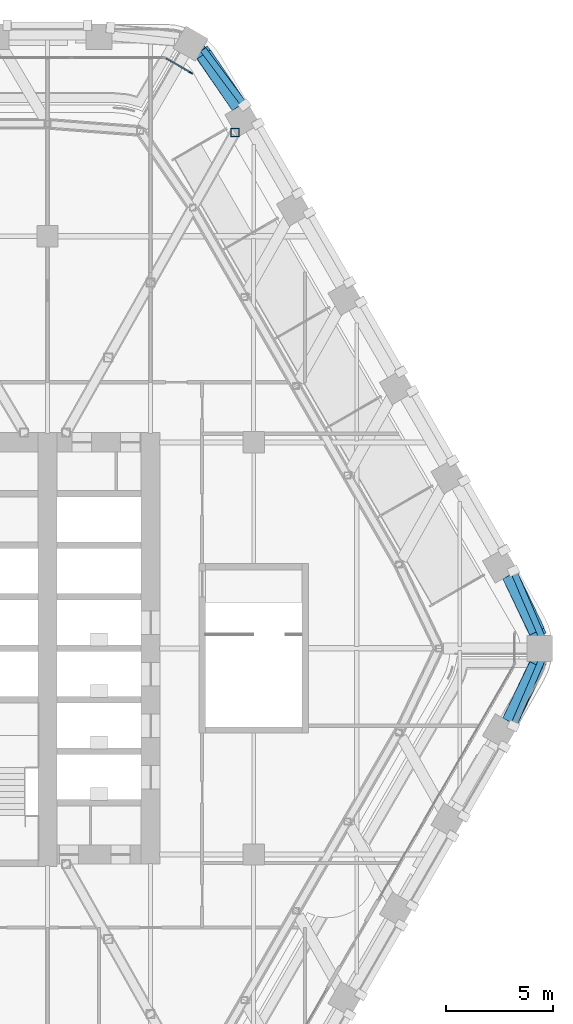
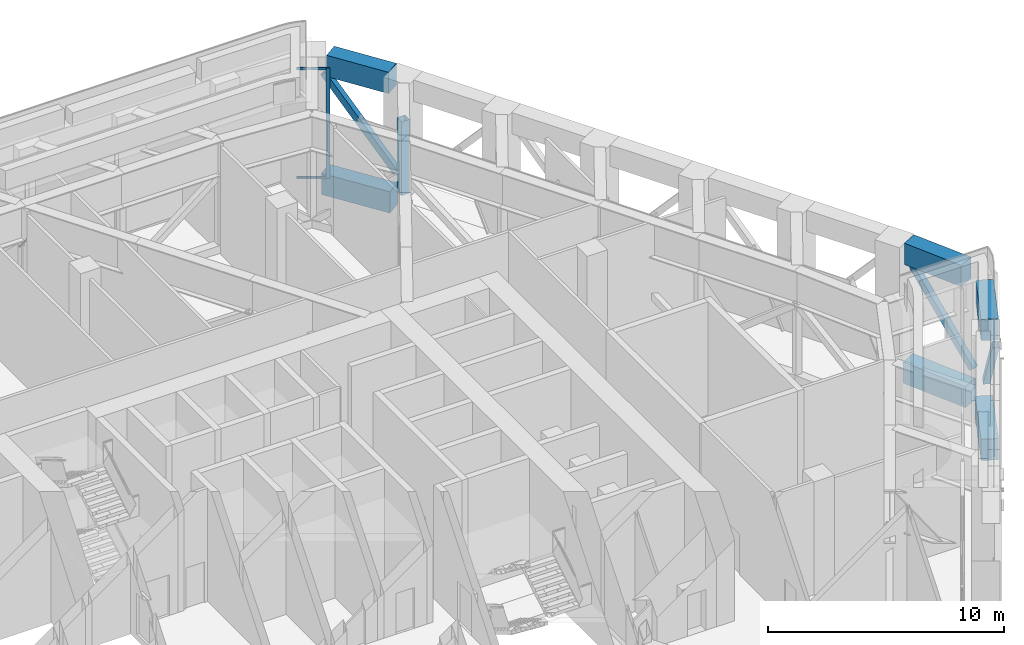
# One storey, part 12 of 27: 7 members, 6 beams, 1 element without a shape of its own.
"""IFC4 building model written with IfcOpenShell, lengths in metres."""

from ifc_helpers import new_model, si_unit, direction, frame, origin, origin_2d, place, context, subcontext, project, spatial, rectangle, hollow_rectangle, extrude, material, material_profile, profile_set, type_object, element, aggregate, save


model = new_model("IFC4")

# Units and contexts
model_context = context("Model", 3, precision=1e-05, world=origin(), true_north=direction((0.0, 1.0)))
body_context = subcontext(model_context, "Body", "Model", "MODEL_VIEW")
ifc_project = project(units=[si_unit("LENGTHUNIT", "METRE"), si_unit("AREAUNIT", "SQUARE_METRE"), si_unit("VOLUMEUNIT", "CUBIC_METRE"), si_unit("PLANEANGLEUNIT", "RADIAN"), si_unit("MASSUNIT", "GRAM", prefix="KILO")], contexts=[model_context])

# Site, building, storey
site_placement = place(None, origin())
site = spatial("IfcSite", under=ifc_project, at=site_placement, CompositionType="ELEMENT")
building_placement = place(site_placement, origin())
building = spatial("IfcBuilding", under=site, at=building_placement, Name="Kolab Exchange Tower", CompositionType="ELEMENT")
storey_placement = place(building_placement, frame((0.0, 0.0, 127.39990234375)))
storey = spatial("IfcBuildingStorey", under=building, at=storey_placement, Name="L25", CompositionType="ELEMENT", Elevation=127.39990234375)

# Members
ifc_material_1 = material(Name="Steel S355", Category="steel")
ifc_material_profile_1 = material_profile(ifc_material_1, hollow_rectangle(XDim=0.300048828125, YDim=0.300048828125, WallThickness=0.01611328125, at=origin_2d()), Name="HSS300X300X16")
ifc_profile_set_1 = profile_set([ifc_material_profile_1], Name="Steel S355")
member_type_1 = type_object("IfcMemberType", Name="BELT TRUSS BRACE HSS300X300X16", PredefinedType="BRACE", material=ifc_profile_set_1)
for number, where, z_axis, x_axis, name in (
    (1, (16.77978515625, 27.992431640625, 4.60009765625), (0.371973431828, -0.498922162691, -0.782759504311), (0.801707642151, 0.597716367951, 0.0), "mem/L25/fb/F2-01"),
    (2, (31.311767578125, 3.602294921875, 4.60009765625), (0.246074171862, -0.571594627761, -0.782768856979), (0.91850087685, 0.395418941411, 0.0), "mem/L25/fb/F2-07"),
    (3, (32.632080078125, -0.535400390625, 0.400146484375), (-0.246074171862, -0.571594627761, 0.782768856979), (0.91850087685, -0.395418941411, 0.0), "mem/L25/fb/F3-01"),
):
    element("IfcMember", number, at=place(storey_placement, frame(where, z_axis=z_axis, x_axis=x_axis)), inside=storey, type_object=member_type_1, Name=name, PredefinedType="BRACE", context=body_context, shape_type="SweptSolid", body=[
        extrude(hollow_rectangle(XDim=0.300048828125, YDim=0.300048828125, WallThickness=0.01611328125, at=origin_2d()), origin(), (0.0, 0.0, 1.0), 5.365478515625),
    ])
ifc_material_profile_2 = material_profile(ifc_material_1, hollow_rectangle(XDim=0.39990234375, YDim=0.39990234375, WallThickness=0.02001953125, at=origin_2d()), Name="HSS400X400X20")
ifc_profile_set_2 = profile_set([ifc_material_profile_2], Name="Steel S355")
member_type_2 = type_object("IfcMemberType", Name="OUTRIGGER POST HSS400X400X20", PredefinedType="POST", material=ifc_profile_set_2)
member_1_placement = place(storey_placement, frame((18.338134765625, 24.0341796875, 0.25), z_axis=(0.0, 0.0, 1.0), x_axis=(1.0, 0.0, 0.0)))
element("IfcMember", 4, at=member_1_placement, inside=storey, type_object=member_type_2, Name="mem/L25/out/01/p04", PredefinedType="POST", context=body_context, shape_type="SweptSolid", body=[
    extrude(hollow_rectangle(XDim=0.39990234375, YDim=0.39990234375, WallThickness=0.02001953125, at=origin_2d()), origin(), (0.0, 0.0, 1.0), 3.800048828125),
])

# Beams
ifc_material_2 = material(Name="Concrete C70/85", Category="concrete")
ifc_material_profile_3 = material_profile(ifc_material_2, rectangle(XDim=0.75, YDim=1.10009765625, at=origin_2d()), Name="RC750X1100")
ifc_profile_set_3 = profile_set([ifc_material_profile_3], Name="Concrete C70/85")
beam_type = type_object("IfcBeamType", Name="SPANDREL BEAM 750X1100 C70/85", PredefinedType="BEAM", material=ifc_profile_set_3)
beam_1_placement = place(storey_placement, frame((16.73486328125, 27.85791015625, -0.849853515625), z_axis=(0.567661826262, -0.823261836237, 0.0), x_axis=(0.823261836237, 0.567661826262, 0.0)))
element("IfcBeam", 5, at=beam_1_placement, inside=storey, type_object=beam_type, Name="beam/L25/sp/F2-01", PredefinedType="BEAM", context=body_context, shape_type="SweptSolid", body=[
    extrude(rectangle(XDim=0.75, YDim=1.10009765625, at=origin_2d()), origin(), (0.0, 0.0, 1.0), 3.20849609375),
])
for number, where, z_axis, x_axis, name in (
    (6, (31.116455078125, 3.4619140625, -0.849853515625), (0.429041292193, -0.903284877319, 0.0), (0.903284877319, 0.429041292193, 0.0), "beam/L25/sp/F2-07"),
    (7, (32.492919921875, -0.56396484375, -0.849853515625), (-0.429041292193, -0.903284877319, 0.0), (0.903284877319, -0.429041292193, 0.0), "beam/L25/sp/F3-01"),
):
    element("IfcBeam", number, at=place(storey_placement, frame(where, z_axis=z_axis, x_axis=x_axis)), inside=storey, type_object=beam_type, Name=name, PredefinedType="BEAM", context=body_context, shape_type="SweptSolid", body=[
        extrude(rectangle(XDim=0.75, YDim=1.10009765625, at=origin_2d()), origin(), (0.0, 0.0, 1.0), 3.208251953125),
    ])
beam_2_placement = place(storey_placement, frame((16.882568359375, 27.67529296875, 5.300048828125), z_axis=(0.563671935422, -0.825998758606, 0.0), x_axis=(0.825998758606, 0.563671935422, 0.0)))
element("IfcBeam", 8, at=beam_2_placement, inside=storey, type_object=beam_type, Name="beam/L25/cp/F2-01", PredefinedType="BEAM", context=body_context, shape_type="SweptSolid", body=[
    extrude(rectangle(XDim=0.75, YDim=1.10009765625, at=origin_2d()), origin(), (0.0, 0.0, 1.0), 2.915771484375),
])
for number, where, z_axis, x_axis, name in (
    (9, (31.144775390625, 3.41064453125, 5.300048828125), (0.433495850752, -0.901155562254, 0.0), (0.901155562254, 0.433495850752, 0.0), "beam/L25/cp/F2-07"),
    (10, (32.40869140625, -0.783203125, 5.300048828125), (-0.433495850752, -0.901155562254, 0.0), (0.901155562254, -0.433495850752, 0.0), "beam/L25/cp/F3-01"),
):
    element("IfcBeam", number, at=place(storey_placement, frame(where, z_axis=z_axis, x_axis=x_axis)), inside=storey, type_object=beam_type, Name=name, PredefinedType="BEAM", context=body_context, shape_type="SweptSolid", body=[
        extrude(rectangle(XDim=0.75, YDim=1.10009765625, at=origin_2d()), origin(), (0.0, 0.0, 1.0), 2.91552734375),
    ])

# Curtain wall, members
ifc_material_3 = material(Name="Aluminium EN AW-6063 T6", Category="aluminium")
curtain_wall_type = type_object("IfcCurtainWallType", Name="UNITISED LOWER MID ZONE BELT CURTAIN WALL", PredefinedType="NOTDEFINED", material=ifc_material_3)
curtain_wall_placement = place(storey_placement, origin())
curtain_wall = element("IfcCurtainWall", 11, at=curtain_wall_placement, inside=storey, type_object=curtain_wall_type, Name="cw/L25/F1F2-corner", PredefinedType="NOTDEFINED")
ifc_material_profile_4 = material_profile(ifc_material_3, rectangle(XDim=0.06005859375, YDim=0.179931640625, at=origin_2d()), Name="RECT 60X180")
ifc_profile_set_4 = profile_set([ifc_material_profile_4], Name="Aluminium EN AW-6063 T6")
member_type_3 = type_object("IfcMemberType", Name="UNITISED LOWER MID ZONE BELT MULLION 60 X 180", PredefinedType="MULLION", material=ifc_profile_set_4)
member_2_placement = place(storey_placement, frame((16.271728515625, 26.823486328125, 0.0), z_axis=(0.0, 0.0, 1.0), x_axis=(0.50000002237, 0.866025390869, 0.0)))
member_2 = element("IfcMember", 12, at=member_2_placement, type_object=member_type_3, Name="CW10 mullion 2", PredefinedType="MULLION", context=body_context, shape_type="SweptSolid", body=[
    extrude(rectangle(XDim=0.06005859375, YDim=0.179931640625, at=origin_2d()), origin(), (0.0, 0.0, 1.0), 5.7001953125),
])
ifc_material_profile_5 = material_profile(ifc_material_3, rectangle(XDim=0.06005859375, YDim=0.1201171875, at=origin_2d()), Name="RECT 60X120")
ifc_profile_set_5 = profile_set([ifc_material_profile_5], Name="Aluminium EN AW-6063 T6")
member_type_4 = type_object("IfcMemberType", Name="UNITISED LOWER MID ZONE BELT TRANSOM 60 X 120", PredefinedType="USERDEFINED", material=ifc_profile_set_5)
member_3_placement = place(storey_placement, frame((15.119873046875, 27.488525390625, 0.030029296875), z_axis=(0.866004217611, -0.500036693733, 0.0), x_axis=(0.500036693733, 0.866004217611, 0.0)))
member_3 = element("IfcMember", 13, at=member_3_placement, type_object=member_type_4, Name="CW10 transom 1.1", ObjectType="TRANSOM", PredefinedType="USERDEFINED", context=body_context, shape_type="SweptSolid", body=[
    extrude(rectangle(XDim=0.06005859375, YDim=0.1201171875, at=origin_2d()), origin(), (0.0, 0.0, 1.0), 1.30029296875),
])
member_4_placement = place(storey_placement, frame((15.119873046875, 27.488525390625, 5.670166015625), z_axis=(0.866004217611, -0.500036693733, 0.0), x_axis=(0.500036693733, 0.866004217611, 0.0)))
member_4 = element("IfcMember", 14, at=member_4_placement, type_object=member_type_4, Name="CW10 transom 1.2", ObjectType="TRANSOM", PredefinedType="USERDEFINED", context=body_context, shape_type="SweptSolid", body=[
    extrude(rectangle(XDim=0.06005859375, YDim=0.1201171875, at=origin_2d()), origin(), (0.0, 0.0, 1.0), 1.30029296875),
])
aggregate(curtain_wall, [member_2, member_3, member_4])

save(model, "model.ifc")
